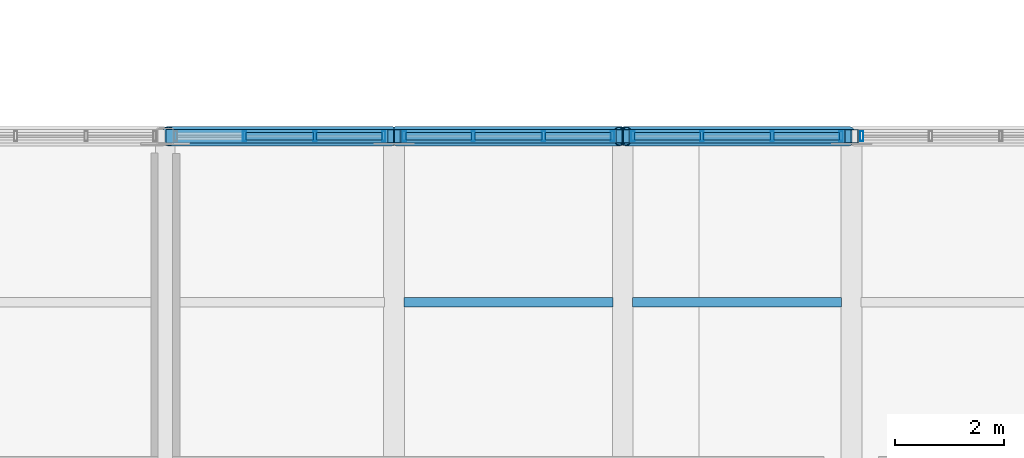
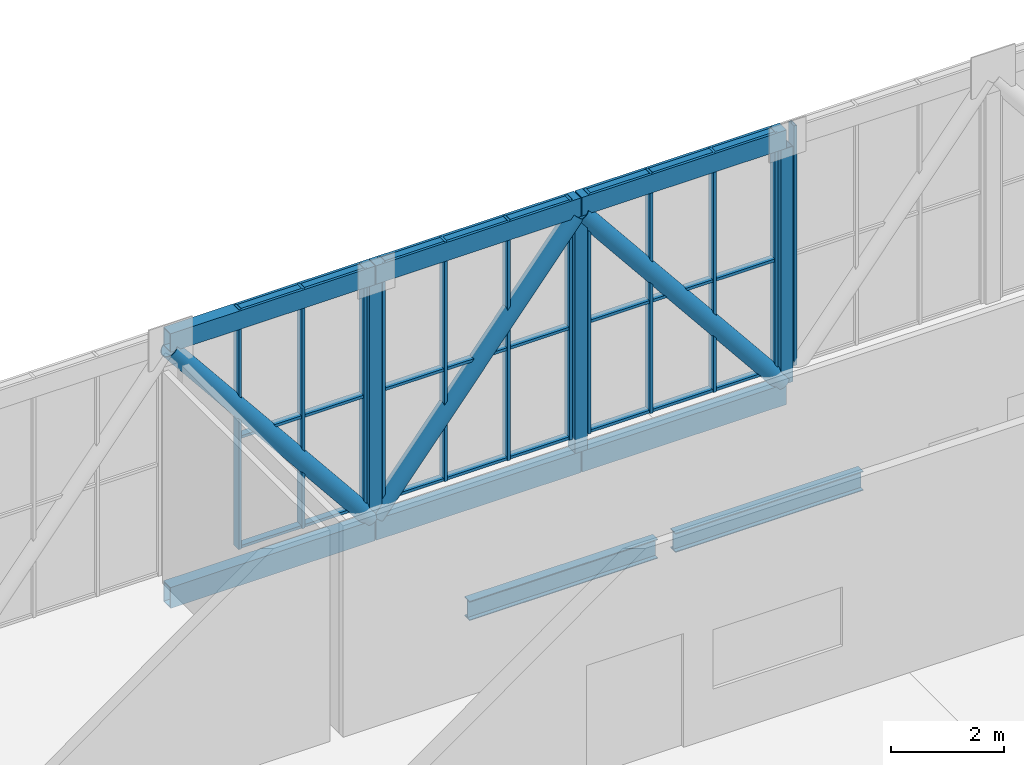
# One storey, part 32 of 58: 48 members, 2 beams, 4 elements without a shape of their own.
"""IFC4 building model written with IfcOpenShell, lengths in metres."""

import ifcopenshell
import ifcopenshell.guid

model = None  # the IFC model being written
_history = None  # IfcOwnerHistory: only IFC2X3 demands one
_inside = {}  # id of a spatial element -> (the spatial element, [elements in it])
_under = {}  # id of a project, library or spatial element -> (it, [spatial elements below it])
_declared = {}  # id of a project -> (the project, [libraries it declares])
_typed = {}  # id of a type object -> (the type object, [elements of that type])
_made_of = {}  # id of a material, layer set ... -> (it, [elements and type objects made of it])


def new_model(schema):
    """Start an empty IFC model of exactly this schema.

    Asked for "IFC4X3", IfcOpenShell would pick the latest addendum, in which some entities
    have other attributes; the version numbers below select the first issue.
    IFC2X3 requires an IfcOwnerHistory on every rooted entity: one is made here for all.
    """
    global model, _history
    if schema == "IFC4X3":
        model = ifcopenshell.file(schema_version=(4, 3, 0, 0))
    else:
        model = ifcopenshell.file(schema=schema)
    _inside.clear()
    _under.clear()
    _declared.clear()
    _typed.clear()
    _made_of.clear()
    _history = None
    if model.schema == "IFC2X3":
        org = make("IfcOrganization", Name="unknown")
        user = make(
            "IfcPersonAndOrganization",
            ThePerson=make("IfcPerson", FamilyName="unknown"),
            TheOrganization=org,
        )
        app = make(
            "IfcApplication",
            ApplicationDeveloper=org,
            Version="unknown",
            ApplicationFullName="unknown",
            ApplicationIdentifier="unknown",
        )
        _history = make(
            "IfcOwnerHistory",
            OwningUser=user,
            OwningApplication=app,
            ChangeAction="ADDED",
            CreationDate=0,
        )
    return model


def make(cls, **values):
    """One entity of the class cls with the attributes given. An attribute that is None is left unset."""
    return model.create_entity(
        cls, **{name: value for name, value in values.items() if value is not None}
    )


def rooted(cls, **values):
    """An entity with a GlobalId (a new one), such as an element, a storey or a relation."""
    return make(cls, GlobalId=ifcopenshell.guid.new(), OwnerHistory=_history, **values)


def si_unit(unit_type, name, prefix=None):
    """IfcSIUnit, for example si_unit("LENGTHUNIT", "METRE", prefix="MILLI")."""
    return make("IfcSIUnit", UnitType=unit_type, Prefix=prefix, Name=name)


def assignment(units):
    """IfcUnitAssignment: the units of a project."""
    return None if units is None else make("IfcUnitAssignment", Units=units)


def point(xyz):
    """IfcCartesianPoint."""
    return None if xyz is None else make("IfcCartesianPoint", Coordinates=xyz)


def direction(xyz):
    """IfcDirection."""
    return None if xyz is None else make("IfcDirection", DirectionRatios=xyz)


def frame(location, z_axis=None, x_axis=None):
    """IfcAxis2Placement3D, a coordinate frame: its origin and axes. An axis left out is left unset."""
    return make(
        "IfcAxis2Placement3D",
        Location=point(location),
        Axis=direction(z_axis),
        RefDirection=direction(x_axis),
    )


def frame_2d(location, x_axis=None):
    """IfcAxis2Placement2D, a coordinate frame in the plane: its origin and x axis."""
    return make(
        "IfcAxis2Placement2D", Location=point(location), RefDirection=direction(x_axis)
    )


def origin():
    """The frame at (0, 0, 0) with its axes left unset."""
    return frame((0.0, 0.0, 0.0))


def origin_2d():
    """The frame at (0, 0) in the plane with its x axis left unset."""
    return frame_2d((0.0, 0.0))


def place(relative_to, where):
    """IfcLocalPlacement: puts the frame where relative to a parent placement (None: the world)."""
    return make(
        "IfcLocalPlacement", PlacementRelTo=relative_to, RelativePlacement=where
    )


def context(
    kind, dimensions, precision=None, world=None, true_north=None, identifier=None
):
    """IfcGeometricRepresentationContext, for example the 3D "Model" context."""
    return make(
        "IfcGeometricRepresentationContext",
        ContextIdentifier=identifier,
        ContextType=kind,
        CoordinateSpaceDimension=dimensions,
        Precision=precision,
        WorldCoordinateSystem=world,
        TrueNorth=true_north,
    )


def subcontext(parent, identifier, kind, view, scale=None):
    """IfcGeometricRepresentationSubContext, for example "Body" below "Model"."""
    return make(
        "IfcGeometricRepresentationSubContext",
        ContextIdentifier=identifier,
        ContextType=kind,
        ParentContext=parent,
        TargetScale=scale,
        TargetView=view,
    )


def project(units=None, contexts=None):
    """IfcProject with its units and contexts."""
    return rooted(
        "IfcProject",
        Name="project",
        RepresentationContexts=contexts,
        UnitsInContext=assignment(units),
    )


def spatial(cls, under=None, at=None, **own):
    """A site, building, storey or space (cls), placed at a placement, below another one or the project."""
    s = rooted(cls, ObjectPlacement=at, **own)
    if under is not None:
        _under.setdefault(under.id(), (under, []))[1].append(s)
    return s


def profile(cls, at=None, kind="AREA", **sizes):
    """A parametric profile (cls). Its sizes go by their IFC names, for example OverallWidth=200.0."""
    return make(cls, ProfileType=kind, Position=at, **sizes)


def hollow_rectangle(**sizes):
    """IfcRectangleHollowProfileDef."""
    return profile("IfcRectangleHollowProfileDef", **sizes)


def hollow_circle(**sizes):
    """IfcCircleHollowProfileDef."""
    return profile("IfcCircleHollowProfileDef", **sizes)


def i_section(**sizes):
    """IfcIShapeProfileDef."""
    return profile("IfcIShapeProfileDef", **sizes)


def extrude(swept, where, along, depth):
    """IfcExtrudedAreaSolid: the profile swept, set in the frame where, extruded along a direction by depth."""
    return make(
        "IfcExtrudedAreaSolid",
        SweptArea=swept,
        Position=where,
        ExtrudedDirection=direction(along),
        Depth=depth,
    )


def shape(context_of_items, identifier, shape_type, items):
    """IfcShapeRepresentation: the items that make up one representation, for example the "Body"."""
    return make(
        "IfcShapeRepresentation",
        ContextOfItems=context_of_items,
        RepresentationIdentifier=identifier,
        RepresentationType=shape_type,
        Items=items,
    )


def material(Name=None, Category=None):
    """IfcMaterial."""
    return make("IfcMaterial", Name=Name, Category=Category)


def material_profile(
    of_material, cross_section, Name=None, Category=None, Priority=None
):
    """IfcMaterialProfile: a cross section and its material."""
    return make(
        "IfcMaterialProfile",
        Name=Name,
        Material=of_material,
        Profile=cross_section,
        Priority=Priority,
        Category=Category,
    )


def profile_set(profiles, Name=None, composite=None):
    """IfcMaterialProfileSet."""
    return make(
        "IfcMaterialProfileSet",
        Name=Name,
        MaterialProfiles=profiles,
        CompositeProfile=composite,
    )


def made_of(thing, what):
    """Note that an element or type object is made of a material, layer set ...; save() writes the relation."""
    if what is not None:
        _made_of.setdefault(what.id(), (what, []))[1].append(thing)
    return thing


def type_object(cls, material=None, **own):
    """A type object (cls), such as IfcWallType, which elements share."""
    return made_of(rooted(cls, **own), material)


def element(
    cls,
    number,
    at=None,
    inside=None,
    cuts=None,
    type_object=None,
    material=None,
    context=None,
    identifier="Body",
    shape_type=None,
    held_by="IfcProductDefinitionShape",
    body=None,
    shapes=None,
    **own,
):
    """One element of the class cls, such as IfcWall. Its Tag is "e" and its number.

    at: its placement. inside: the storey or other place that contains it. cuts: it is an
    opening in that element (IfcRelVoidsElement). A single representation is given by context,
    identifier, shape_type and body (its items); several are given by shapes. held_by: the class
    of the entity that holds the representations. save() writes the other relations.
    """
    e = rooted(cls, Tag="e%d" % number, ObjectPlacement=at, **own)
    if body is not None:
        shapes = [shape(context, identifier, shape_type, body)]
    if shapes is not None:
        e.Representation = make(held_by, Representations=shapes)
    if inside is not None:
        _inside.setdefault(inside.id(), (inside, []))[1].append(e)
    if cuts is not None:
        rooted(
            "IfcRelVoidsElement", RelatingBuildingElement=cuts, RelatedOpeningElement=e
        )
    if type_object is not None:
        _typed.setdefault(type_object.id(), (type_object, []))[1].append(e)
    return made_of(e, material)


def aggregate(whole, parts):
    """IfcRelAggregates: a whole, such as a stair, and the parts it consists of."""
    return rooted("IfcRelAggregates", RelatingObject=whole, RelatedObjects=parts)


def save(model, path):
    """Write the relations noted so far, then the file.

    IfcRelAggregates (storeys below a building ...), IfcRelContainedInSpatialStructure (elements
    in a storey), IfcRelDefinesByType, IfcRelAssociatesMaterial and IfcRelDeclares: one each for
    every whole, place, type object, material and project.
    """
    for whole, parts in _under.values():
        aggregate(whole, parts)
    for where, things in _inside.values():
        rooted(
            "IfcRelContainedInSpatialStructure",
            RelatedElements=things,
            RelatingStructure=where,
        )
    for kind, things in _typed.values():
        rooted("IfcRelDefinesByType", RelatedObjects=things, RelatingType=kind)
    for what, things in _made_of.values():
        rooted("IfcRelAssociatesMaterial", RelatedObjects=things, RelatingMaterial=what)
    for by, libraries in _declared.values():
        rooted("IfcRelDeclares", RelatingContext=by, RelatedDefinitions=libraries)
    model.write(path)


model = new_model("IFC4")

# Units and contexts
model_context = context("Model", 3, precision=1e-05, world=origin(), true_north=direction((0.0, 1.0)))
body_context = subcontext(model_context, "Body", "Model", "MODEL_VIEW")
ifc_project = project(units=[si_unit("LENGTHUNIT", "METRE"), si_unit("AREAUNIT", "SQUARE_METRE"), si_unit("VOLUMEUNIT", "CUBIC_METRE"), si_unit("PLANEANGLEUNIT", "RADIAN"), si_unit("MASSUNIT", "GRAM", prefix="KILO")], contexts=[model_context])

# Site, building, storey
site_placement = place(None, origin())
site = spatial("IfcSite", under=ifc_project, at=site_placement, CompositionType="ELEMENT")
building_placement = place(site_placement, origin())
building = spatial("IfcBuilding", under=site, at=building_placement, Name="Khurvash Pelagic Aquarium", CompositionType="ELEMENT")
storey_placement = place(building_placement, frame((0.0, 0.0, 24.60009765625)))
storey = spatial("IfcBuildingStorey", under=building, at=storey_placement, Name="L05", CompositionType="ELEMENT", Elevation=24.60009765625)

# Curtain wall, members
ifc_material_1 = material(Name="Anodised aluminium and low-E laminated glass", Category="aluminium")
curtain_wall_type = type_object("IfcCurtainWallType", Name="CW-01", PredefinedType="USERDEFINED", material=ifc_material_1)
curtain_wall_1_placement = place(storey_placement, origin())
curtain_wall_1 = element("IfcCurtainWall", 1, at=curtain_wall_1_placement, inside=storey, type_object=curtain_wall_type, Name="L05 North Sky-Bar Unitised Curtain Wall CW-01 P16", ObjectType="UNITISED CURTAIN WALL", PredefinedType="USERDEFINED")
ifc_material_2 = material(Name="Extruded aluminium AW-6063-T6", Category="aluminium")
ifc_material_profile_1 = material_profile(ifc_material_2, hollow_rectangle(XDim=0.06005859375, YDim=0.179931640625, WallThickness=0.00390625, at=origin_2d()), Name="CWM60X180X4")
ifc_profile_set_1 = profile_set([ifc_material_profile_1], Name="Extruded aluminium AW-6063-T6")
member_type_1 = type_object("IfcMemberType", Name="CM-01", PredefinedType="MULLION", material=ifc_profile_set_1)
member_1_placement = place(storey_placement, frame((77.05322265625, 29.75, 0.0), z_axis=(0.0, 0.0, 1.0), x_axis=(1.0, 0.0, 0.0)))
member_1 = element("IfcMember", 2, at=member_1_placement, type_object=member_type_1, Name="CW-01 mullion 2", PredefinedType="MULLION", context=body_context, shape_type="SweptSolid", body=[
    extrude(hollow_rectangle(XDim=0.06005859375, YDim=0.179931640625, WallThickness=0.00390625, at=origin_2d()), origin(), (0.0, 0.0, 1.0), 5.179931640625),
])
member_2_placement = place(storey_placement, frame((78.3466796875, 29.75, 0.0), z_axis=(0.0, 0.0, 1.0), x_axis=(1.0, 0.0, 0.0)))
member_2 = element("IfcMember", 3, at=member_2_placement, type_object=member_type_1, Name="CW-01 mullion 3", PredefinedType="MULLION", context=body_context, shape_type="SweptSolid", body=[
    extrude(hollow_rectangle(XDim=0.06005859375, YDim=0.179931640625, WallThickness=0.00390625, at=origin_2d()), origin(), (0.0, 0.0, 1.0), 5.179931640625),
])
member_3_placement = place(storey_placement, frame((79.610107421875, 29.75, 0.0), z_axis=(0.0, 0.0, 1.0), x_axis=(1.0, 0.0, 0.0)))
member_3 = element("IfcMember", 4, at=member_3_placement, type_object=member_type_1, Name="CW-01 mullion 4", PredefinedType="MULLION", context=body_context, shape_type="SweptSolid", body=[
    extrude(hollow_rectangle(XDim=0.06005859375, YDim=0.179931640625, WallThickness=0.00390625, at=origin_2d()), origin(), (0.0, 0.0, 1.0), 5.179931640625),
])

curtain_wall_2_placement = place(storey_placement, origin())
curtain_wall_2 = element("IfcCurtainWall", 5, at=curtain_wall_2_placement, inside=storey, type_object=curtain_wall_type, Name="L05 North Sky-Bar Unitised Curtain Wall CW-01 P17", ObjectType="UNITISED CURTAIN WALL", PredefinedType="USERDEFINED")
member_4_placement = place(storey_placement, frame((79.989990234375, 29.75, 0.0), z_axis=(0.0, 0.0, 1.0), x_axis=(1.0, 0.0, 0.0)))
member_4 = element("IfcMember", 6, at=member_4_placement, type_object=member_type_1, Name="CW-01 mullion 1", PredefinedType="MULLION", context=body_context, shape_type="SweptSolid", body=[
    extrude(hollow_rectangle(XDim=0.06005859375, YDim=0.179931640625, WallThickness=0.00390625, at=origin_2d()), origin(), (0.0, 0.0, 1.0), 5.179931640625),
])
member_5_placement = place(storey_placement, frame((81.25341796875, 29.75, 0.0), z_axis=(0.0, 0.0, 1.0), x_axis=(1.0, 0.0, 0.0)))
member_5 = element("IfcMember", 7, at=member_5_placement, type_object=member_type_1, Name="CW-01 mullion 2", PredefinedType="MULLION", context=body_context, shape_type="SweptSolid", body=[
    extrude(hollow_rectangle(XDim=0.06005859375, YDim=0.179931640625, WallThickness=0.00390625, at=origin_2d()), origin(), (0.0, 0.0, 1.0), 5.179931640625),
])
member_6_placement = place(storey_placement, frame((82.546630859375, 29.75, 0.0), z_axis=(0.0, 0.0, 1.0), x_axis=(1.0, 0.0, 0.0)))
member_6 = element("IfcMember", 8, at=member_6_placement, type_object=member_type_1, Name="CW-01 mullion 3", PredefinedType="MULLION", context=body_context, shape_type="SweptSolid", body=[
    extrude(hollow_rectangle(XDim=0.06005859375, YDim=0.179931640625, WallThickness=0.00390625, at=origin_2d()), origin(), (0.0, 0.0, 1.0), 5.179931640625),
])
member_7_placement = place(storey_placement, frame((83.81005859375, 29.75, 0.0), z_axis=(0.0, 0.0, 1.0), x_axis=(1.0, 0.0, 0.0)))
member_7 = element("IfcMember", 9, at=member_7_placement, type_object=member_type_1, Name="CW-01 mullion 4", PredefinedType="MULLION", context=body_context, shape_type="SweptSolid", body=[
    extrude(hollow_rectangle(XDim=0.06005859375, YDim=0.179931640625, WallThickness=0.00390625, at=origin_2d()), origin(), (0.0, 0.0, 1.0), 5.179931640625),
])

curtain_wall_3_placement = place(storey_placement, origin())
curtain_wall_3 = element("IfcCurtainWall", 10, at=curtain_wall_3_placement, inside=storey, type_object=curtain_wall_type, Name="L05 North Sky-Bar Unitised Curtain Wall CW-01 P18", ObjectType="UNITISED CURTAIN WALL", PredefinedType="USERDEFINED")
member_8_placement = place(storey_placement, frame((84.18994140625, 29.75, 0.0), z_axis=(0.0, 0.0, 1.0), x_axis=(1.0, 0.0, 0.0)))
member_8 = element("IfcMember", 11, at=member_8_placement, type_object=member_type_1, Name="CW-01 mullion 1", PredefinedType="MULLION", context=body_context, shape_type="SweptSolid", body=[
    extrude(hollow_rectangle(XDim=0.06005859375, YDim=0.179931640625, WallThickness=0.00390625, at=origin_2d()), origin(), (0.0, 0.0, 1.0), 5.179931640625),
])
member_9_placement = place(storey_placement, frame((85.453369140625, 29.75, 0.0), z_axis=(0.0, 0.0, 1.0), x_axis=(1.0, 0.0, 0.0)))
member_9 = element("IfcMember", 12, at=member_9_placement, type_object=member_type_1, Name="CW-01 mullion 2", PredefinedType="MULLION", context=body_context, shape_type="SweptSolid", body=[
    extrude(hollow_rectangle(XDim=0.06005859375, YDim=0.179931640625, WallThickness=0.00390625, at=origin_2d()), origin(), (0.0, 0.0, 1.0), 5.179931640625),
])
member_10_placement = place(storey_placement, frame((86.74658203125, 29.75, 0.0), z_axis=(0.0, 0.0, 1.0), x_axis=(1.0, 0.0, 0.0)))
member_10 = element("IfcMember", 13, at=member_10_placement, type_object=member_type_1, Name="CW-01 mullion 3", PredefinedType="MULLION", context=body_context, shape_type="SweptSolid", body=[
    extrude(hollow_rectangle(XDim=0.06005859375, YDim=0.179931640625, WallThickness=0.00390625, at=origin_2d()), origin(), (0.0, 0.0, 1.0), 5.179931640625),
])
member_11_placement = place(storey_placement, frame((88.010009765625, 29.75, 0.0), z_axis=(0.0, 0.0, 1.0), x_axis=(1.0, 0.0, 0.0)))
member_11 = element("IfcMember", 14, at=member_11_placement, type_object=member_type_1, Name="CW-01 mullion 4", PredefinedType="MULLION", context=body_context, shape_type="SweptSolid", body=[
    extrude(hollow_rectangle(XDim=0.06005859375, YDim=0.179931640625, WallThickness=0.00390625, at=origin_2d()), origin(), (0.0, 0.0, 1.0), 5.179931640625),
])

# Curtain wall, member
curtain_wall_4_placement = place(storey_placement, origin())
curtain_wall_4 = element("IfcCurtainWall", 15, at=curtain_wall_4_placement, inside=storey, type_object=curtain_wall_type, Name="L05 North Sky-Bar Unitised Curtain Wall CW-01 P19", ObjectType="UNITISED CURTAIN WALL", PredefinedType="USERDEFINED")
member_12_placement = place(storey_placement, frame((88.389892578125, 29.75, 0.0), z_axis=(0.0, 0.0, 1.0), x_axis=(1.0, 0.0, 0.0)))
member_12 = element("IfcMember", 16, at=member_12_placement, type_object=member_type_1, Name="CW-01 mullion 1", PredefinedType="MULLION", context=body_context, shape_type="SweptSolid", body=[
    extrude(hollow_rectangle(XDim=0.06005859375, YDim=0.179931640625, WallThickness=0.00390625, at=origin_2d()), origin(), (0.0, 0.0, 1.0), 5.179931640625),
])
aggregate(curtain_wall_4, [member_12])

# Member
ifc_material_profile_2 = material_profile(ifc_material_2, hollow_rectangle(XDim=0.139892578125, YDim=0.06005859375, WallThickness=0.00390625, at=origin_2d()), Name="CWT140X60X4")
ifc_profile_set_2 = profile_set([ifc_material_profile_2], Name="Extruded aluminium AW-6063-T6")
member_type_2 = type_object("IfcMemberType", Name="CT-01", PredefinedType="USERDEFINED", material=ifc_profile_set_2)
member_13_placement = place(storey_placement, frame((77.083251953125, 29.75, 0.02978515625), z_axis=(1.0, 0.0, 0.0), x_axis=(0.0, 1.0, 0.0)))
member_13 = element("IfcMember", 17, at=member_13_placement, type_object=member_type_2, Name="CW-01 transom 2.1", ObjectType="TRANSOM", PredefinedType="USERDEFINED", context=body_context, shape_type="SweptSolid", body=[
    extrude(hollow_rectangle(XDim=0.139892578125, YDim=0.06005859375, WallThickness=0.00390625, at=origin_2d()), origin(), (0.0, 0.0, 1.0), 1.2333984375),
])

member_14_placement = place(storey_placement, frame((77.083251953125, 29.75, 2.39990234375), z_axis=(1.0, 0.0, 0.0), x_axis=(0.0, 1.0, 0.0)))
member_14 = element("IfcMember", 18, at=member_14_placement, type_object=member_type_2, Name="CW-01 transom 2.2", ObjectType="TRANSOM", PredefinedType="USERDEFINED", context=body_context, shape_type="SweptSolid", body=[
    extrude(hollow_rectangle(XDim=0.139892578125, YDim=0.06005859375, WallThickness=0.00390625, at=origin_2d()), origin(), (0.0, 0.0, 1.0), 1.2333984375),
])

member_15_placement = place(storey_placement, frame((77.083251953125, 29.75, 5.14990234375), z_axis=(1.0, 0.0, 0.0), x_axis=(0.0, 1.0, 0.0)))
member_15 = element("IfcMember", 19, at=member_15_placement, type_object=member_type_2, Name="CW-01 transom 2.3", ObjectType="TRANSOM", PredefinedType="USERDEFINED", context=body_context, shape_type="SweptSolid", body=[
    extrude(hollow_rectangle(XDim=0.139892578125, YDim=0.06005859375, WallThickness=0.00390625, at=origin_2d()), origin(), (0.0, 0.0, 1.0), 1.2333984375),
])

member_16_placement = place(storey_placement, frame((78.376708984375, 29.75, 0.02978515625), z_axis=(1.0, 0.0, 0.0), x_axis=(0.0, 1.0, 0.0)))
member_16 = element("IfcMember", 20, at=member_16_placement, type_object=member_type_2, Name="CW-01 transom 3.1", ObjectType="TRANSOM", PredefinedType="USERDEFINED", context=body_context, shape_type="SweptSolid", body=[
    extrude(hollow_rectangle(XDim=0.139892578125, YDim=0.06005859375, WallThickness=0.00390625, at=origin_2d()), origin(), (0.0, 0.0, 1.0), 1.203369140625),
])

member_17_placement = place(storey_placement, frame((78.376708984375, 29.75, 2.39990234375), z_axis=(1.0, 0.0, 0.0), x_axis=(0.0, 1.0, 0.0)))
member_17 = element("IfcMember", 21, at=member_17_placement, type_object=member_type_2, Name="CW-01 transom 3.2", ObjectType="TRANSOM", PredefinedType="USERDEFINED", context=body_context, shape_type="SweptSolid", body=[
    extrude(hollow_rectangle(XDim=0.139892578125, YDim=0.06005859375, WallThickness=0.00390625, at=origin_2d()), origin(), (0.0, 0.0, 1.0), 1.203369140625),
])

member_18_placement = place(storey_placement, frame((78.376708984375, 29.75, 5.14990234375), z_axis=(1.0, 0.0, 0.0), x_axis=(0.0, 1.0, 0.0)))
member_18 = element("IfcMember", 22, at=member_18_placement, type_object=member_type_2, Name="CW-01 transom 3.3", ObjectType="TRANSOM", PredefinedType="USERDEFINED", context=body_context, shape_type="SweptSolid", body=[
    extrude(hollow_rectangle(XDim=0.139892578125, YDim=0.06005859375, WallThickness=0.00390625, at=origin_2d()), origin(), (0.0, 0.0, 1.0), 1.203369140625),
])

aggregate(curtain_wall_1, [member_1, member_2, member_3, member_13, member_14, member_15, member_16, member_17, member_18])

member_19_placement = place(storey_placement, frame((80.02001953125, 29.75, 0.02978515625), z_axis=(1.0, 0.0, 0.0), x_axis=(0.0, 1.0, 0.0)))
member_19 = element("IfcMember", 23, at=member_19_placement, type_object=member_type_2, Name="CW-01 transom 1.1", ObjectType="TRANSOM", PredefinedType="USERDEFINED", context=body_context, shape_type="SweptSolid", body=[
    extrude(hollow_rectangle(XDim=0.139892578125, YDim=0.06005859375, WallThickness=0.00390625, at=origin_2d()), origin(), (0.0, 0.0, 1.0), 1.203369140625),
])

member_20_placement = place(storey_placement, frame((80.02001953125, 29.75, 2.39990234375), z_axis=(1.0, 0.0, 0.0), x_axis=(0.0, 1.0, 0.0)))
member_20 = element("IfcMember", 24, at=member_20_placement, type_object=member_type_2, Name="CW-01 transom 1.2", ObjectType="TRANSOM", PredefinedType="USERDEFINED", context=body_context, shape_type="SweptSolid", body=[
    extrude(hollow_rectangle(XDim=0.139892578125, YDim=0.06005859375, WallThickness=0.00390625, at=origin_2d()), origin(), (0.0, 0.0, 1.0), 1.203369140625),
])

member_21_placement = place(storey_placement, frame((80.02001953125, 29.75, 5.14990234375), z_axis=(1.0, 0.0, 0.0), x_axis=(0.0, 1.0, 0.0)))
member_21 = element("IfcMember", 25, at=member_21_placement, type_object=member_type_2, Name="CW-01 transom 1.3", ObjectType="TRANSOM", PredefinedType="USERDEFINED", context=body_context, shape_type="SweptSolid", body=[
    extrude(hollow_rectangle(XDim=0.139892578125, YDim=0.06005859375, WallThickness=0.00390625, at=origin_2d()), origin(), (0.0, 0.0, 1.0), 1.203369140625),
])

member_22_placement = place(storey_placement, frame((81.283447265625, 29.75, 0.02978515625), z_axis=(1.0, 0.0, 0.0), x_axis=(0.0, 1.0, 0.0)))
member_22 = element("IfcMember", 26, at=member_22_placement, type_object=member_type_2, Name="CW-01 transom 2.1", ObjectType="TRANSOM", PredefinedType="USERDEFINED", context=body_context, shape_type="SweptSolid", body=[
    extrude(hollow_rectangle(XDim=0.139892578125, YDim=0.06005859375, WallThickness=0.00390625, at=origin_2d()), origin(), (0.0, 0.0, 1.0), 1.233154296875),
])

member_23_placement = place(storey_placement, frame((81.283447265625, 29.75, 2.39990234375), z_axis=(1.0, 0.0, 0.0), x_axis=(0.0, 1.0, 0.0)))
member_23 = element("IfcMember", 27, at=member_23_placement, type_object=member_type_2, Name="CW-01 transom 2.2", ObjectType="TRANSOM", PredefinedType="USERDEFINED", context=body_context, shape_type="SweptSolid", body=[
    extrude(hollow_rectangle(XDim=0.139892578125, YDim=0.06005859375, WallThickness=0.00390625, at=origin_2d()), origin(), (0.0, 0.0, 1.0), 1.233154296875),
])

member_24_placement = place(storey_placement, frame((81.283447265625, 29.75, 5.14990234375), z_axis=(1.0, 0.0, 0.0), x_axis=(0.0, 1.0, 0.0)))
member_24 = element("IfcMember", 28, at=member_24_placement, type_object=member_type_2, Name="CW-01 transom 2.3", ObjectType="TRANSOM", PredefinedType="USERDEFINED", context=body_context, shape_type="SweptSolid", body=[
    extrude(hollow_rectangle(XDim=0.139892578125, YDim=0.06005859375, WallThickness=0.00390625, at=origin_2d()), origin(), (0.0, 0.0, 1.0), 1.233154296875),
])

member_25_placement = place(storey_placement, frame((82.57666015625, 29.75, 0.02978515625), z_axis=(1.0, 0.0, 0.0), x_axis=(0.0, 1.0, 0.0)))
member_25 = element("IfcMember", 29, at=member_25_placement, type_object=member_type_2, Name="CW-01 transom 3.1", ObjectType="TRANSOM", PredefinedType="USERDEFINED", context=body_context, shape_type="SweptSolid", body=[
    extrude(hollow_rectangle(XDim=0.139892578125, YDim=0.06005859375, WallThickness=0.00390625, at=origin_2d()), origin(), (0.0, 0.0, 1.0), 1.203369140625),
])

member_26_placement = place(storey_placement, frame((82.57666015625, 29.75, 2.39990234375), z_axis=(1.0, 0.0, 0.0), x_axis=(0.0, 1.0, 0.0)))
member_26 = element("IfcMember", 30, at=member_26_placement, type_object=member_type_2, Name="CW-01 transom 3.2", ObjectType="TRANSOM", PredefinedType="USERDEFINED", context=body_context, shape_type="SweptSolid", body=[
    extrude(hollow_rectangle(XDim=0.139892578125, YDim=0.06005859375, WallThickness=0.00390625, at=origin_2d()), origin(), (0.0, 0.0, 1.0), 1.203369140625),
])

member_27_placement = place(storey_placement, frame((82.57666015625, 29.75, 5.14990234375), z_axis=(1.0, 0.0, 0.0), x_axis=(0.0, 1.0, 0.0)))
member_27 = element("IfcMember", 31, at=member_27_placement, type_object=member_type_2, Name="CW-01 transom 3.3", ObjectType="TRANSOM", PredefinedType="USERDEFINED", context=body_context, shape_type="SweptSolid", body=[
    extrude(hollow_rectangle(XDim=0.139892578125, YDim=0.06005859375, WallThickness=0.00390625, at=origin_2d()), origin(), (0.0, 0.0, 1.0), 1.203369140625),
])

aggregate(curtain_wall_2, [member_4, member_5, member_6, member_7, member_19, member_20, member_21, member_22, member_23, member_24, member_25, member_26, member_27])

member_28_placement = place(storey_placement, frame((84.219970703125, 29.75, 0.02978515625), z_axis=(1.0, 0.0, 0.0), x_axis=(0.0, 1.0, 0.0)))
member_28 = element("IfcMember", 32, at=member_28_placement, type_object=member_type_2, Name="CW-01 transom 1.1", ObjectType="TRANSOM", PredefinedType="USERDEFINED", context=body_context, shape_type="SweptSolid", body=[
    extrude(hollow_rectangle(XDim=0.139892578125, YDim=0.06005859375, WallThickness=0.00390625, at=origin_2d()), origin(), (0.0, 0.0, 1.0), 1.203369140625),
])

member_29_placement = place(storey_placement, frame((84.219970703125, 29.75, 2.39990234375), z_axis=(1.0, 0.0, 0.0), x_axis=(0.0, 1.0, 0.0)))
member_29 = element("IfcMember", 33, at=member_29_placement, type_object=member_type_2, Name="CW-01 transom 1.2", ObjectType="TRANSOM", PredefinedType="USERDEFINED", context=body_context, shape_type="SweptSolid", body=[
    extrude(hollow_rectangle(XDim=0.139892578125, YDim=0.06005859375, WallThickness=0.00390625, at=origin_2d()), origin(), (0.0, 0.0, 1.0), 1.203369140625),
])

member_30_placement = place(storey_placement, frame((84.219970703125, 29.75, 5.14990234375), z_axis=(1.0, 0.0, 0.0), x_axis=(0.0, 1.0, 0.0)))
member_30 = element("IfcMember", 34, at=member_30_placement, type_object=member_type_2, Name="CW-01 transom 1.3", ObjectType="TRANSOM", PredefinedType="USERDEFINED", context=body_context, shape_type="SweptSolid", body=[
    extrude(hollow_rectangle(XDim=0.139892578125, YDim=0.06005859375, WallThickness=0.00390625, at=origin_2d()), origin(), (0.0, 0.0, 1.0), 1.203369140625),
])

member_31_placement = place(storey_placement, frame((85.4833984375, 29.75, 0.02978515625), z_axis=(1.0, 0.0, 0.0), x_axis=(0.0, 1.0, 0.0)))
member_31 = element("IfcMember", 35, at=member_31_placement, type_object=member_type_2, Name="CW-01 transom 2.1", ObjectType="TRANSOM", PredefinedType="USERDEFINED", context=body_context, shape_type="SweptSolid", body=[
    extrude(hollow_rectangle(XDim=0.139892578125, YDim=0.06005859375, WallThickness=0.00390625, at=origin_2d()), origin(), (0.0, 0.0, 1.0), 1.233154296875),
])

member_32_placement = place(storey_placement, frame((85.4833984375, 29.75, 2.39990234375), z_axis=(1.0, 0.0, 0.0), x_axis=(0.0, 1.0, 0.0)))
member_32 = element("IfcMember", 36, at=member_32_placement, type_object=member_type_2, Name="CW-01 transom 2.2", ObjectType="TRANSOM", PredefinedType="USERDEFINED", context=body_context, shape_type="SweptSolid", body=[
    extrude(hollow_rectangle(XDim=0.139892578125, YDim=0.06005859375, WallThickness=0.00390625, at=origin_2d()), origin(), (0.0, 0.0, 1.0), 1.233154296875),
])

member_33_placement = place(storey_placement, frame((85.4833984375, 29.75, 5.14990234375), z_axis=(1.0, 0.0, 0.0), x_axis=(0.0, 1.0, 0.0)))
member_33 = element("IfcMember", 37, at=member_33_placement, type_object=member_type_2, Name="CW-01 transom 2.3", ObjectType="TRANSOM", PredefinedType="USERDEFINED", context=body_context, shape_type="SweptSolid", body=[
    extrude(hollow_rectangle(XDim=0.139892578125, YDim=0.06005859375, WallThickness=0.00390625, at=origin_2d()), origin(), (0.0, 0.0, 1.0), 1.233154296875),
])

member_34_placement = place(storey_placement, frame((86.776611328125, 29.75, 0.02978515625), z_axis=(1.0, 0.0, 0.0), x_axis=(0.0, 1.0, 0.0)))
member_34 = element("IfcMember", 38, at=member_34_placement, type_object=member_type_2, Name="CW-01 transom 3.1", ObjectType="TRANSOM", PredefinedType="USERDEFINED", context=body_context, shape_type="SweptSolid", body=[
    extrude(hollow_rectangle(XDim=0.139892578125, YDim=0.06005859375, WallThickness=0.00390625, at=origin_2d()), origin(), (0.0, 0.0, 1.0), 1.203369140625),
])

member_35_placement = place(storey_placement, frame((86.776611328125, 29.75, 2.39990234375), z_axis=(1.0, 0.0, 0.0), x_axis=(0.0, 1.0, 0.0)))
member_35 = element("IfcMember", 39, at=member_35_placement, type_object=member_type_2, Name="CW-01 transom 3.2", ObjectType="TRANSOM", PredefinedType="USERDEFINED", context=body_context, shape_type="SweptSolid", body=[
    extrude(hollow_rectangle(XDim=0.139892578125, YDim=0.06005859375, WallThickness=0.00390625, at=origin_2d()), origin(), (0.0, 0.0, 1.0), 1.203369140625),
])

member_36_placement = place(storey_placement, frame((86.776611328125, 29.75, 5.14990234375), z_axis=(1.0, 0.0, 0.0), x_axis=(0.0, 1.0, 0.0)))
member_36 = element("IfcMember", 40, at=member_36_placement, type_object=member_type_2, Name="CW-01 transom 3.3", ObjectType="TRANSOM", PredefinedType="USERDEFINED", context=body_context, shape_type="SweptSolid", body=[
    extrude(hollow_rectangle(XDim=0.139892578125, YDim=0.06005859375, WallThickness=0.00390625, at=origin_2d()), origin(), (0.0, 0.0, 1.0), 1.203369140625),
])

aggregate(curtain_wall_3, [member_8, member_9, member_10, member_11, member_28, member_29, member_30, member_31, member_32, member_33, member_34, member_35, member_36])

# Beams
ifc_material_3 = material(Name="Steel ASTM A992 Grade 50", Category="steel")
ifc_material_profile_3 = material_profile(ifc_material_3, i_section(OverallWidth=0.180908203125, OverallDepth=0.4169921875, WebThickness=0.010986328125, FlangeThickness=0.018310546875, at=origin_2d()), Name="W16X57")
ifc_profile_set_3 = profile_set([ifc_material_profile_3], Name="Steel ASTM A992 Grade 50")
beam_type = type_object("IfcBeamType", Name="JS-03", PredefinedType="JOIST", material=ifc_profile_set_3)
for number, where, z_axis, x_axis, name in (
    (41, (79.97998046875, 26.699951171875, -0.508544921875), (1.0, 0.0, 0.0), (0.0, 1.0, 0.0), "L05 Sky-Bar Floor Joist JS-03 P17"),
    (42, (84.179931640625, 26.699951171875, -0.508544921875), (1.0, 0.0, 0.0), (0.0, 1.0, 0.0), "L05 Sky-Bar Floor Joist JS-03 P18"),
):
    element("IfcBeam", number, at=place(storey_placement, frame(where, z_axis=z_axis, x_axis=x_axis)), inside=storey, type_object=beam_type, Name=name, PredefinedType="JOIST", context=body_context, shape_type="SweptSolid", body=[
        extrude(i_section(OverallWidth=0.180908203125, OverallDepth=0.4169921875, WebThickness=0.010986328125, FlangeThickness=0.018310546875, at=origin_2d()), origin(), (0.0, 0.0, 1.0), 3.840087890625),
    ])

# Members
ifc_material_4 = material(Name="Steel S355J2", Category="steel")
ifc_material_profile_4 = material_profile(ifc_material_4, hollow_rectangle(XDim=0.25, YDim=0.449951171875, WallThickness=0.02001953125, at=origin_2d()), Name="RHS450X250X20")
ifc_profile_set_4 = profile_set([ifc_material_profile_4], Name="Steel S355J2")
member_type_3 = type_object("IfcMemberType", Name="TC-01", PredefinedType="CHORD", material=ifc_profile_set_4)
for number, where, z_axis, x_axis, name in (
    (43, (75.610107421875, 29.75, -0.525146484375), (1.0, 0.0, 0.0), (0.0, 1.0, 0.0), "L05 North Sky-Bar Warren Truss Bottom Chord TC-01 P16"),
    (44, (79.81005859375, 29.75, -0.525146484375), (1.0, 0.0, 0.0), (0.0, 1.0, 0.0), "L05 North Sky-Bar Warren Truss Bottom Chord TC-01 P17"),
    (45, (84.010009765625, 29.75, -0.525146484375), (1.0, 0.0, 0.0), (0.0, 1.0, 0.0), "L05 North Sky-Bar Warren Truss Bottom Chord TC-01 P18"),
):
    element("IfcMember", number, at=place(storey_placement, frame(where, z_axis=z_axis, x_axis=x_axis)), inside=storey, type_object=member_type_3, Name=name, PredefinedType="CHORD", context=body_context, shape_type="SweptSolid", body=[
        extrude(hollow_rectangle(XDim=0.25, YDim=0.449951171875, WallThickness=0.02001953125, at=origin_2d()), origin(), (0.0, 0.0, 1.0), 4.179931640625),
    ])
ifc_material_profile_5 = material_profile(ifc_material_4, hollow_rectangle(XDim=0.25, YDim=0.39990234375, WallThickness=0.01611328125, at=origin_2d()), Name="RHS400X250X16")
ifc_profile_set_5 = profile_set([ifc_material_profile_5], Name="Steel S355J2")
member_type_4 = type_object("IfcMemberType", Name="TC-02", PredefinedType="CHORD", material=ifc_profile_set_5)
for number, where, z_axis, x_axis, name in (
    (46, (75.610107421875, 29.75, 4.97998046875), (1.0, 0.0, 0.0), (0.0, 1.0, 0.0), "L05 North Sky-Bar Warren Truss Top Chord TC-02 P16"),
    (47, (79.81005859375, 29.75, 4.97998046875), (1.0, 0.0, 0.0), (0.0, 1.0, 0.0), "L05 North Sky-Bar Warren Truss Top Chord TC-02 P17"),
    (48, (84.010009765625, 29.75, 4.97998046875), (1.0, 0.0, 0.0), (0.0, 1.0, 0.0), "L05 North Sky-Bar Warren Truss Top Chord TC-02 P18"),
):
    element("IfcMember", number, at=place(storey_placement, frame(where, z_axis=z_axis, x_axis=x_axis)), inside=storey, type_object=member_type_4, Name=name, PredefinedType="CHORD", context=body_context, shape_type="SweptSolid", body=[
        extrude(hollow_rectangle(XDim=0.25, YDim=0.39990234375, WallThickness=0.01611328125, at=origin_2d()), origin(), (0.0, 0.0, 1.0), 4.179931640625),
    ])
ifc_material_profile_6 = material_profile(ifc_material_4, hollow_circle(Radius=0.177734375, WallThickness=0.01416015625, at=origin_2d()), Name="CHS355X14")
ifc_profile_set_6 = profile_set([ifc_material_profile_6], Name="Steel S355J2")
member_type_5 = type_object("IfcMemberType", Name="TD-02", PredefinedType="BRACE", material=ifc_profile_set_6)
member_37_placement = place(storey_placement, frame((75.64990234375, 29.75, 4.77978515625), z_axis=(0.628073304864, 0.0, -0.778154177343), x_axis=(0.0, 1.0, 0.0)))
element("IfcMember", 49, at=member_37_placement, inside=storey, type_object=member_type_5, Name="L05 North Sky-Bar Warren Truss Diagonal TD-02 P16", PredefinedType="BRACE", context=body_context, shape_type="SweptSolid", body=[
    extrude(hollow_circle(Radius=0.177734375, WallThickness=0.01416015625, at=origin_2d()), origin(), (0.0, 0.0, 1.0), 6.528076171875),
])
for number, where, z_axis, x_axis, name in (
    (50, (79.85009765625, 29.75, -0.300048828125), (0.628050658275, 0.0, 0.778172455591), (0.0, 1.0, 0.0), "L05 North Sky-Bar Warren Truss Diagonal TD-02 P17"),
    (51, (84.050048828125, 29.75, 4.77978515625), (0.628050658275, 0.0, -0.778172455591), (0.0, 1.0, 0.0), "L05 North Sky-Bar Warren Truss Diagonal TD-02 P18"),
):
    element("IfcMember", number, at=place(storey_placement, frame(where, z_axis=z_axis, x_axis=x_axis)), inside=storey, type_object=member_type_5, Name=name, PredefinedType="BRACE", context=body_context, shape_type="SweptSolid", body=[
        extrude(hollow_circle(Radius=0.177734375, WallThickness=0.01416015625, at=origin_2d()), origin(), (0.0, 0.0, 1.0), 6.52783203125),
    ])
ifc_material_profile_7 = material_profile(ifc_material_4, hollow_rectangle(XDim=0.25, YDim=0.25, WallThickness=0.012451171875, at=origin_2d()), Name="SHS250X250X12")
ifc_profile_set_7 = profile_set([ifc_material_profile_7], Name="Steel S355J2")
member_type_6 = type_object("IfcMemberType", Name="TV-02", PredefinedType="POST", material=ifc_profile_set_7)
for number, where, z_axis, x_axis, name in (
    (52, (79.800048828125, 29.75, -0.300048828125), (0.0, 0.0, 1.0), (1.0, 0.0, 0.0), "L05 North Sky-Bar Truss Post TV-02 N17"),
    (53, (84.0, 29.75, -0.300048828125), (0.0, 0.0, 1.0), (1.0, 0.0, 0.0), "L05 North Sky-Bar Truss Post TV-02 N18"),
    (54, (88.199951171875, 29.75, -0.300048828125), (0.0, 0.0, 1.0), (1.0, 0.0, 0.0), "L05 North Sky-Bar Truss Post TV-02 N19"),
):
    element("IfcMember", number, at=place(storey_placement, frame(where, z_axis=z_axis, x_axis=x_axis)), inside=storey, type_object=member_type_6, Name=name, PredefinedType="POST", context=body_context, shape_type="SweptSolid", body=[
        extrude(hollow_rectangle(XDim=0.25, YDim=0.25, WallThickness=0.012451171875, at=origin_2d()), origin(), (0.0, 0.0, 1.0), 5.079833984375),
    ])

save(model, "model.ifc")
